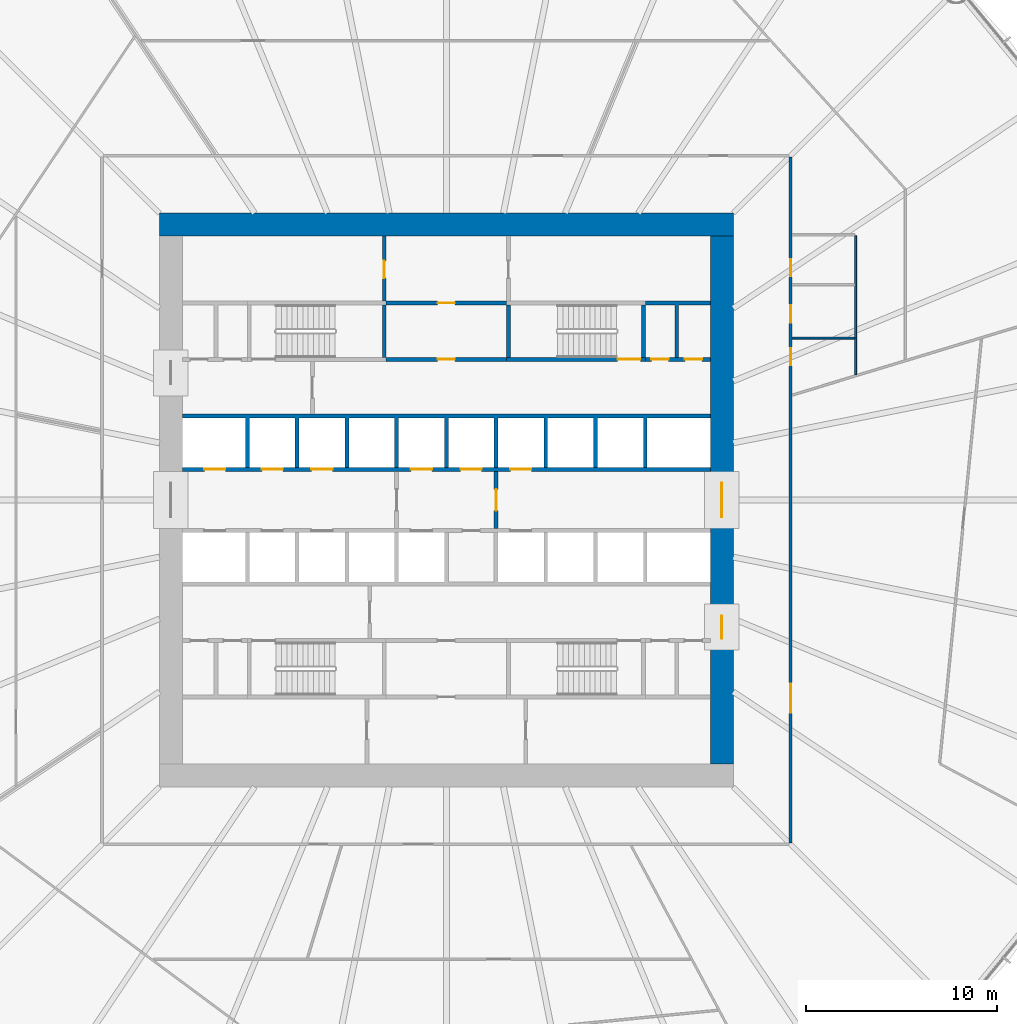
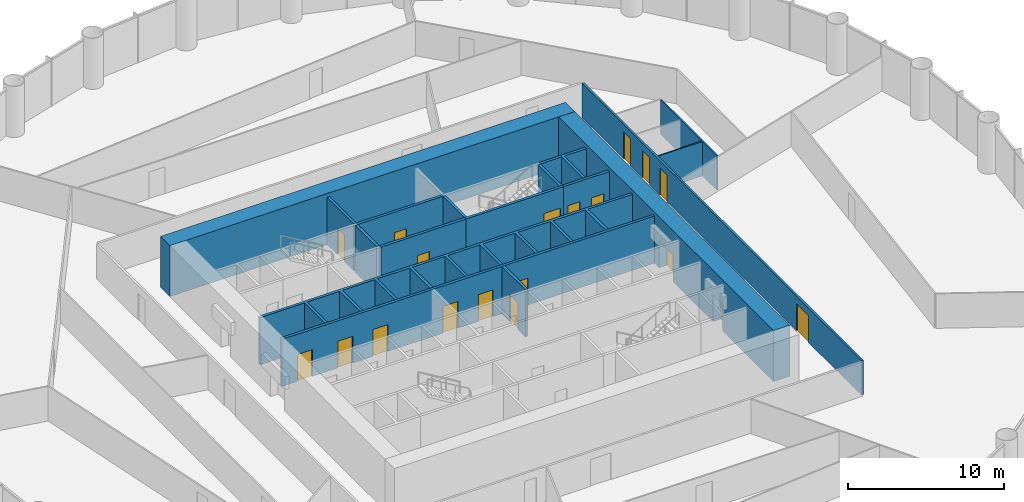
# One storey, part 12 of 14: 19 doors, 17 walls, 19 openings.
"""IFC4 building model written with IfcOpenShell, lengths in metres."""

from ifc_helpers import new_model, si_unit, direction, frame, frame_2d, origin, place, context, subcontext, project, spatial, polyline, rectangle, outline, extrude, material, layer, layer_set, type_object, element, fill, save


model = new_model("IFC4")

# Units and contexts
model_context = context("Model", 3, precision=1e-05, world=origin(), true_north=direction((0.0, 1.0)))
body_context = subcontext(model_context, "Body", "Model", "MODEL_VIEW")
ifc_project = project(units=[si_unit("LENGTHUNIT", "METRE"), si_unit("AREAUNIT", "SQUARE_METRE"), si_unit("VOLUMEUNIT", "CUBIC_METRE"), si_unit("PLANEANGLEUNIT", "RADIAN"), si_unit("MASSUNIT", "GRAM", prefix="KILO")], contexts=[model_context])

# Site, building, storey
site_placement = place(None, origin())
site = spatial("IfcSite", under=ifc_project, at=site_placement, CompositionType="ELEMENT")
building_placement = place(site_placement, origin())
building = spatial("IfcBuilding", under=site, at=building_placement, Name="Corvane Civic Tower", CompositionType="ELEMENT")
storey_placement = place(building_placement, frame((0.0, 0.0, 49.0)))
storey = spatial("IfcBuildingStorey", under=building, at=storey_placement, Name="L10", CompositionType="ELEMENT", Elevation=49.0)

# Wall
ifc_material_1 = material(Name="Concrete C80/95", Category="concrete")
ifc_layer_1 = layer(ifc_material_1, 1.199951171875)
ifc_layer_set_1 = layer_set([ifc_layer_1], Name="Concrete C80/95")
wall_type_1 = type_object("IfcWallType", Name="CORE WALL 1200 C80/95", PredefinedType="SHEAR", material=ifc_layer_set_1)
wall_1_placement = place(storey_placement, frame((-15.0, 14.39990234375, 0.0), z_axis=(0.0, 0.0, 1.0), x_axis=(1.0, 0.0, 0.0)))
element("IfcWall", 1, at=wall_1_placement, inside=storey, type_object=wall_type_1, Name="W-L10-core-N", PredefinedType="SHEAR", context=body_context, shape_type="SweptSolid", body=[
    extrude(rectangle(XDim=30.0, YDim=1.199951171875, at=frame_2d((15.0, 0.0))), origin(), (0.0, 0.0, 1.0), 4.0),
])

# Wall, openings, doors
wall_2_placement = place(storey_placement, frame((14.39990234375, -13.800048828125, 0.0), z_axis=(0.0, 0.0, 1.0), x_axis=(0.0, 1.0, 0.0)))
wall_2 = element("IfcWall", 2, at=wall_2_placement, inside=storey, type_object=wall_type_1, Name="W-L10-core-E", PredefinedType="SHEAR", context=body_context, shape_type="SweptSolid", body=[
    extrude(rectangle(XDim=27.60009765625, YDim=1.199951171875, at=frame_2d((13.800048828125, 0.0))), origin(), (0.0, 0.0, 1.0), 4.0),
])
opening_1_placement = place(wall_2_placement, frame((12.89990234375, 0.0, 0.0)))
opening_1 = element("IfcOpeningElement", 3, at=opening_1_placement, cuts=wall_2, Name="Opening L10.C27", PredefinedType="OPENING", context=body_context, shape_type="SweptSolid", body=[
    extrude(rectangle(XDim=1.800048828125, YDim=2.10009765625, at=frame_2d((0.89990234375, 1.050048828125))), frame((0.0, 0.60986328125, 0.0), z_axis=(0.0, -1.0, 0.0), x_axis=(1.0, 0.0, 0.0)), (0.0, 0.0, 1.0), 1.219970703125),
])
opening_2_placement = place(wall_2_placement, frame((6.550048828125, 0.0, 0.0)))
opening_2 = element("IfcOpeningElement", 4, at=opening_2_placement, cuts=wall_2, Name="Opening L10.C29", PredefinedType="OPENING", context=body_context, shape_type="SweptSolid", body=[
    extrude(rectangle(XDim=1.199951171875, YDim=2.10009765625, at=frame_2d((0.60009765625, 1.050048828125))), frame((0.0, 0.60986328125, 0.0), z_axis=(0.0, -1.0, 0.0), x_axis=(1.0, 0.0, 0.0)), (0.0, 0.0, 1.0), 1.219970703125),
])
ifc_material_2 = material(Name="Steel fire door leaf", Category="steel")
door_type_1 = type_object("IfcDoorType", Name="CR-DOOR-CORE-1800", OperationType="DOUBLE_DOOR_SINGLE_SWING", PredefinedType="DOOR", material=ifc_material_2)
door_1_placement = place(opening_1_placement, origin())
door_1 = element("IfcDoor", 5, at=door_1_placement, inside=storey, type_object=door_type_1, Name="L10 door", OperationType="DOUBLE_DOOR_SINGLE_SWING", OverallHeight=2.10009765625, OverallWidth=1.800048828125, PredefinedType="DOOR", context=body_context, shape_type="SweptSolid", body=[
    extrude(rectangle(XDim=1.800048828125, YDim=2.10009765625, at=frame_2d((0.89990234375, 1.050048828125))), frame((0.0, 0.02490234375, 0.0), z_axis=(0.0, -1.0, 0.0), x_axis=(1.0, 0.0, 0.0)), (0.0, 0.0, 1.0), 0.050048828125),
])
fill(opening_1, door_1)
door_2_placement = place(opening_2_placement, origin())
door_2 = element("IfcDoor", 6, at=door_2_placement, inside=storey, type_object=door_type_1, Name="L10 door", OperationType="DOUBLE_DOOR_SINGLE_SWING", OverallHeight=2.10009765625, OverallWidth=1.199951171875, PredefinedType="DOOR", context=body_context, shape_type="SweptSolid", body=[
    extrude(rectangle(XDim=1.199951171875, YDim=2.10009765625, at=frame_2d((0.60009765625, 1.050048828125))), frame((0.0, 0.02490234375, 0.0), z_axis=(0.0, -1.0, 0.0), x_axis=(1.0, 0.0, 0.0)), (0.0, 0.0, 1.0), 0.050048828125),
])
fill(opening_2, door_2)

ifc_material_3 = material(Name="Concrete C30/37", Category="concrete")
ifc_layer_2 = layer(ifc_material_3, 0.199951171875)
ifc_layer_set_2 = layer_set([ifc_layer_2], Name="Concrete C30/37")
wall_type_2 = type_object("IfcWallType", Name="CR-WALL-200", PredefinedType="PARTITIONING", material=ifc_layer_set_2)
wall_3_placement = place(storey_placement, frame((-13.800048828125, 1.60009765625, 0.0), z_axis=(0.0, 0.0, 1.0), x_axis=(1.0, 0.0, 0.0)))
wall_3 = element("IfcWall", 7, at=wall_3_placement, inside=storey, type_object=wall_type_2, Name="L10 lift shaft wall", PredefinedType="PARTITIONING", context=body_context, shape_type="SweptSolid", body=[
    extrude(rectangle(XDim=27.60009765625, YDim=0.199951171875, at=frame_2d((13.800048828125, 0.0))), origin(), (0.0, 0.0, 1.0), 3.699951171875),
])
opening_3_placement = place(wall_3_placement, frame((1.14990234375, 0.0, 0.0)))
opening_3 = element("IfcOpeningElement", 8, at=opening_3_placement, cuts=wall_3, Name="Opening LD", PredefinedType="OPENING", context=body_context, shape_type="SweptSolid", body=[
    extrude(rectangle(XDim=1.10009765625, YDim=2.10009765625, at=frame_2d((0.550048828125, 1.050048828125))), frame((0.0, 0.10986328125, 0.0), z_axis=(0.0, -1.0, 0.0), x_axis=(1.0, 0.0, 0.0)), (0.0, 0.0, 1.0), 0.219970703125),
])
opening_4_placement = place(wall_3_placement, frame((4.14990234375, 0.0, 0.0)))
opening_4 = element("IfcOpeningElement", 9, at=opening_4_placement, cuts=wall_3, Name="Opening LD", PredefinedType="OPENING", context=body_context, shape_type="SweptSolid", body=[
    extrude(rectangle(XDim=1.10009765625, YDim=2.10009765625, at=frame_2d((0.550048828125, 1.050048828125))), frame((0.0, 0.10986328125, 0.0), z_axis=(0.0, -1.0, 0.0), x_axis=(1.0, 0.0, 0.0)), (0.0, 0.0, 1.0), 0.219970703125),
])
opening_5_placement = place(wall_3_placement, frame((6.75, 0.0, 0.0)))
opening_5 = element("IfcOpeningElement", 10, at=opening_5_placement, cuts=wall_3, Name="Opening LD", PredefinedType="OPENING", context=body_context, shape_type="SweptSolid", body=[
    extrude(rectangle(XDim=1.10009765625, YDim=2.10009765625, at=frame_2d((0.550048828125, 1.050048828125))), frame((0.0, 0.10986328125, 0.0), z_axis=(0.0, -1.0, 0.0), x_axis=(1.0, 0.0, 0.0)), (0.0, 0.0, 1.0), 0.219970703125),
])
opening_6_placement = place(wall_3_placement, frame((11.949951171875, 0.0, 0.0)))
opening_6 = element("IfcOpeningElement", 11, at=opening_6_placement, cuts=wall_3, Name="Opening LD", PredefinedType="OPENING", context=body_context, shape_type="SweptSolid", body=[
    extrude(rectangle(XDim=1.10009765625, YDim=2.10009765625, at=frame_2d((0.550048828125, 1.050048828125))), frame((0.0, 0.10986328125, 0.0), z_axis=(0.0, -1.0, 0.0), x_axis=(1.0, 0.0, 0.0)), (0.0, 0.0, 1.0), 0.219970703125),
])
opening_7_placement = place(wall_3_placement, frame((14.550048828125, 0.0, 0.0)))
opening_7 = element("IfcOpeningElement", 12, at=opening_7_placement, cuts=wall_3, Name="Opening LD", PredefinedType="OPENING", context=body_context, shape_type="SweptSolid", body=[
    extrude(rectangle(XDim=1.10009765625, YDim=2.10009765625, at=frame_2d((0.550048828125, 1.050048828125))), frame((0.0, 0.10986328125, 0.0), z_axis=(0.0, -1.0, 0.0), x_axis=(1.0, 0.0, 0.0)), (0.0, 0.0, 1.0), 0.219970703125),
])
opening_8_placement = place(wall_3_placement, frame((17.14990234375, 0.0, 0.0)))
opening_8 = element("IfcOpeningElement", 13, at=opening_8_placement, cuts=wall_3, Name="Opening LD", PredefinedType="OPENING", context=body_context, shape_type="SweptSolid", body=[
    extrude(rectangle(XDim=1.10009765625, YDim=2.10009765625, at=frame_2d((0.550048828125, 1.050048828125))), frame((0.0, 0.10986328125, 0.0), z_axis=(0.0, -1.0, 0.0), x_axis=(1.0, 0.0, 0.0)), (0.0, 0.0, 1.0), 0.219970703125),
])
ifc_material_4 = material(Name="Stainless steel 316 door leaves", Category="steel")
door_type_2 = type_object("IfcDoorType", Name="LD", OperationType="DOUBLE_DOOR_SLIDING", PredefinedType="DOOR", material=ifc_material_4)
door_3_placement = place(opening_3_placement, origin())
door_3 = element("IfcDoor", 14, at=door_3_placement, inside=storey, type_object=door_type_2, Name="L10 landing door", OperationType="DOUBLE_DOOR_SLIDING", OverallHeight=2.10009765625, OverallWidth=1.10009765625, PredefinedType="DOOR", context=body_context, shape_type="SweptSolid", body=[
    extrude(rectangle(XDim=1.10009765625, YDim=2.10009765625, at=frame_2d((0.550048828125, 1.050048828125))), frame((0.0, 0.02490234375, 0.0), z_axis=(0.0, -1.0, 0.0), x_axis=(1.0, 0.0, 0.0)), (0.0, 0.0, 1.0), 0.050048828125),
])
fill(opening_3, door_3)
door_4_placement = place(opening_4_placement, origin())
door_4 = element("IfcDoor", 15, at=door_4_placement, inside=storey, type_object=door_type_2, Name="L10 landing door", OperationType="DOUBLE_DOOR_SLIDING", OverallHeight=2.10009765625, OverallWidth=1.10009765625, PredefinedType="DOOR", context=body_context, shape_type="SweptSolid", body=[
    extrude(rectangle(XDim=1.10009765625, YDim=2.10009765625, at=frame_2d((0.550048828125, 1.050048828125))), frame((0.0, 0.02490234375, 0.0), z_axis=(0.0, -1.0, 0.0), x_axis=(1.0, 0.0, 0.0)), (0.0, 0.0, 1.0), 0.050048828125),
])
fill(opening_4, door_4)
door_5_placement = place(opening_5_placement, origin())
door_5 = element("IfcDoor", 16, at=door_5_placement, inside=storey, type_object=door_type_2, Name="L10 landing door", OperationType="DOUBLE_DOOR_SLIDING", OverallHeight=2.10009765625, OverallWidth=1.10009765625, PredefinedType="DOOR", context=body_context, shape_type="SweptSolid", body=[
    extrude(rectangle(XDim=1.10009765625, YDim=2.10009765625, at=frame_2d((0.550048828125, 1.050048828125))), frame((0.0, 0.02490234375, 0.0), z_axis=(0.0, -1.0, 0.0), x_axis=(1.0, 0.0, 0.0)), (0.0, 0.0, 1.0), 0.050048828125),
])
fill(opening_5, door_5)
door_6_placement = place(opening_6_placement, origin())
door_6 = element("IfcDoor", 17, at=door_6_placement, inside=storey, type_object=door_type_2, Name="L10 landing door", OperationType="DOUBLE_DOOR_SLIDING", OverallHeight=2.10009765625, OverallWidth=1.10009765625, PredefinedType="DOOR", context=body_context, shape_type="SweptSolid", body=[
    extrude(rectangle(XDim=1.10009765625, YDim=2.10009765625, at=frame_2d((0.550048828125, 1.050048828125))), frame((0.0, 0.02490234375, 0.0), z_axis=(0.0, -1.0, 0.0), x_axis=(1.0, 0.0, 0.0)), (0.0, 0.0, 1.0), 0.050048828125),
])
fill(opening_6, door_6)
door_7_placement = place(opening_7_placement, origin())
door_7 = element("IfcDoor", 18, at=door_7_placement, inside=storey, type_object=door_type_2, Name="L10 landing door", OperationType="DOUBLE_DOOR_SLIDING", OverallHeight=2.10009765625, OverallWidth=1.10009765625, PredefinedType="DOOR", context=body_context, shape_type="SweptSolid", body=[
    extrude(rectangle(XDim=1.10009765625, YDim=2.10009765625, at=frame_2d((0.550048828125, 1.050048828125))), frame((0.0, 0.02490234375, 0.0), z_axis=(0.0, -1.0, 0.0), x_axis=(1.0, 0.0, 0.0)), (0.0, 0.0, 1.0), 0.050048828125),
])
fill(opening_7, door_7)
door_8_placement = place(opening_8_placement, origin())
door_8 = element("IfcDoor", 19, at=door_8_placement, inside=storey, type_object=door_type_2, Name="L10 landing door", OperationType="DOUBLE_DOOR_SLIDING", OverallHeight=2.10009765625, OverallWidth=1.10009765625, PredefinedType="DOOR", context=body_context, shape_type="SweptSolid", body=[
    extrude(rectangle(XDim=1.10009765625, YDim=2.10009765625, at=frame_2d((0.550048828125, 1.050048828125))), frame((0.0, 0.02490234375, 0.0), z_axis=(0.0, -1.0, 0.0), x_axis=(1.0, 0.0, 0.0)), (0.0, 0.0, 1.0), 0.050048828125),
])
fill(opening_8, door_8)

# Wall, opening, door
wall_4_placement = place(storey_placement, frame((-3.14990234375, 7.35009765625, 0.0), z_axis=(0.0, 0.0, 1.0), x_axis=(1.0, 0.0, 0.0)))
wall_4 = element("IfcWall", 20, at=wall_4_placement, inside=storey, type_object=wall_type_2, Name="L10 core partition wall", PredefinedType="PARTITIONING", context=body_context, shape_type="SweptSolid", body=[
    extrude(rectangle(XDim=6.2998046875, YDim=0.199951171875, at=frame_2d((3.14990234375, 0.0))), origin(), (0.0, 0.0, 1.0), 3.699951171875),
])
opening_9_placement = place(wall_4_placement, frame((2.699951171875, 0.0, 0.0)))
opening_9 = element("IfcOpeningElement", 21, at=opening_9_placement, cuts=wall_4, Name="Opening L10.C02", PredefinedType="OPENING", context=body_context, shape_type="SweptSolid", body=[
    extrude(rectangle(XDim=0.89990234375, YDim=2.10009765625, at=frame_2d((0.449951171875, 1.050048828125))), frame((0.0, 0.10986328125, 0.0), z_axis=(0.0, -1.0, 0.0), x_axis=(1.0, 0.0, 0.0)), (0.0, 0.0, 1.0), 0.219970703125),
])
ifc_material_5 = material(Name="Steel fire door leaf", Category="steel")
door_type_3 = type_object("IfcDoorType", Name="CR-DOOR-900", OperationType="SINGLE_SWING_LEFT", PredefinedType="DOOR", material=ifc_material_5)
door_9_placement = place(opening_9_placement, origin())
door_9 = element("IfcDoor", 22, at=door_9_placement, inside=storey, type_object=door_type_3, Name="L10 door", OperationType="SINGLE_SWING_LEFT", OverallHeight=2.10009765625, OverallWidth=0.89990234375, PredefinedType="DOOR", context=body_context, shape_type="SweptSolid", body=[
    extrude(rectangle(XDim=0.89990234375, YDim=2.10009765625, at=frame_2d((0.449951171875, 1.050048828125))), frame((0.0, 0.02490234375, 0.0), z_axis=(0.0, -1.0, 0.0), x_axis=(1.0, 0.0, 0.0)), (0.0, 0.0, 1.0), 0.050048828125),
])
fill(opening_9, door_9)

# Wall, openings, doors
wall_5_placement = place(storey_placement, frame((10.39990234375, 7.35009765625, 0.0), z_axis=(0.0, 0.0, 1.0), x_axis=(1.0, 0.0, 0.0)))
wall_5 = element("IfcWall", 23, at=wall_5_placement, inside=storey, type_object=wall_type_2, Name="L10 core partition wall", PredefinedType="PARTITIONING", context=body_context, shape_type="SweptSolid", body=[
    extrude(rectangle(XDim=3.400146484375, YDim=0.199951171875, at=frame_2d((1.7001953125, 0.0))), origin(), (0.0, 0.0, 1.0), 3.699951171875),
])
opening_10_placement = place(wall_5_placement, frame((0.324951171875, 0.0, 0.0)))
opening_10 = element("IfcOpeningElement", 24, at=opening_10_placement, cuts=wall_5, Name="Opening L10.C14", PredefinedType="OPENING", context=body_context, shape_type="SweptSolid", body=[
    extrude(rectangle(XDim=0.89990234375, YDim=2.10009765625, at=frame_2d((0.449951171875, 1.050048828125))), frame((0.0, 0.10986328125, 0.0), z_axis=(0.0, -1.0, 0.0), x_axis=(1.0, 0.0, 0.0)), (0.0, 0.0, 1.0), 0.219970703125),
])
opening_11_placement = place(wall_5_placement, frame((2.074951171875, 0.0, 0.0)))
opening_11 = element("IfcOpeningElement", 25, at=opening_11_placement, cuts=wall_5, Name="Opening L10.C15", PredefinedType="OPENING", context=body_context, shape_type="SweptSolid", body=[
    extrude(rectangle(XDim=0.89990234375, YDim=2.10009765625, at=frame_2d((0.449951171875, 1.050048828125))), frame((0.0, 0.10986328125, 0.0), z_axis=(0.0, -1.0, 0.0), x_axis=(1.0, 0.0, 0.0)), (0.0, 0.0, 1.0), 0.219970703125),
])
door_10_placement = place(opening_10_placement, origin())
door_10 = element("IfcDoor", 26, at=door_10_placement, inside=storey, type_object=door_type_3, Name="L10 door", OperationType="SINGLE_SWING_LEFT", OverallHeight=2.10009765625, OverallWidth=0.89990234375, PredefinedType="DOOR", context=body_context, shape_type="SweptSolid", body=[
    extrude(rectangle(XDim=0.89990234375, YDim=2.10009765625, at=frame_2d((0.449951171875, 1.050048828125))), frame((0.0, 0.02490234375, 0.0), z_axis=(0.0, -1.0, 0.0), x_axis=(1.0, 0.0, 0.0)), (0.0, 0.0, 1.0), 0.050048828125),
])
fill(opening_10, door_10)
door_11_placement = place(opening_11_placement, origin())
door_11 = element("IfcDoor", 27, at=door_11_placement, inside=storey, type_object=door_type_3, Name="L10 door", OperationType="SINGLE_SWING_LEFT", OverallHeight=2.10009765625, OverallWidth=0.89990234375, PredefinedType="DOOR", context=body_context, shape_type="SweptSolid", body=[
    extrude(rectangle(XDim=0.89990234375, YDim=2.10009765625, at=frame_2d((0.449951171875, 1.050048828125))), frame((0.0, 0.02490234375, 0.0), z_axis=(0.0, -1.0, 0.0), x_axis=(1.0, 0.0, 0.0)), (0.0, 0.0, 1.0), 0.050048828125),
])
fill(opening_11, door_11)

# Wall, opening, door
wall_6_placement = place(storey_placement, frame((-3.14990234375, 10.300048828125, 0.0), z_axis=(0.0, 0.0, 1.0), x_axis=(1.0, 0.0, 0.0)))
wall_6 = element("IfcWall", 28, at=wall_6_placement, inside=storey, type_object=wall_type_2, Name="L10 partition wall", PredefinedType="PARTITIONING", context=body_context, shape_type="SweptSolid", body=[
    extrude(rectangle(XDim=6.2998046875, YDim=0.199951171875, at=frame_2d((3.14990234375, 0.0))), origin(), (0.0, 0.0, 1.0), 3.699951171875),
])
opening_12_placement = place(wall_6_placement, frame((2.699951171875, 0.0, 0.0)))
opening_12 = element("IfcOpeningElement", 29, at=opening_12_placement, cuts=wall_6, Name="Opening L10.C05", PredefinedType="OPENING", context=body_context, shape_type="SweptSolid", body=[
    extrude(rectangle(XDim=0.89990234375, YDim=2.10009765625, at=frame_2d((0.449951171875, 1.050048828125))), frame((0.0, 0.10986328125, 0.0), z_axis=(0.0, -1.0, 0.0), x_axis=(1.0, 0.0, 0.0)), (0.0, 0.0, 1.0), 0.219970703125),
])
door_12_placement = place(opening_12_placement, origin())
door_12 = element("IfcDoor", 30, at=door_12_placement, inside=storey, type_object=door_type_3, Name="L10 door", OperationType="SINGLE_SWING_LEFT", OverallHeight=2.10009765625, OverallWidth=0.89990234375, PredefinedType="DOOR", context=body_context, shape_type="SweptSolid", body=[
    extrude(rectangle(XDim=0.89990234375, YDim=2.10009765625, at=frame_2d((0.449951171875, 1.050048828125))), frame((0.0, 0.02490234375, 0.0), z_axis=(0.0, -1.0, 0.0), x_axis=(1.0, 0.0, 0.0)), (0.0, 0.0, 1.0), 0.050048828125),
])
fill(opening_12, door_12)

wall_7_placement = place(storey_placement, frame((-3.25, 10.39990234375, 0.0), z_axis=(0.0, 0.0, 1.0), x_axis=(0.0, 1.0, 0.0)))
wall_7 = element("IfcWall", 31, at=wall_7_placement, inside=storey, type_object=wall_type_2, Name="L10 partition wall", PredefinedType="PARTITIONING", context=body_context, shape_type="SweptSolid", body=[
    extrude(rectangle(XDim=3.400146484375, YDim=0.199951171875, at=frame_2d((1.7001953125, 0.0))), origin(), (0.0, 0.0, 1.0), 3.699951171875),
])
opening_13_placement = place(wall_7_placement, frame((1.199951171875, 0.0, 0.0)))
opening_13 = element("IfcOpeningElement", 32, at=opening_13_placement, cuts=wall_7, Name="Opening L10.C04", PredefinedType="OPENING", context=body_context, shape_type="SweptSolid", body=[
    extrude(rectangle(XDim=0.89990234375, YDim=2.10009765625, at=frame_2d((0.449951171875, 1.050048828125))), frame((0.0, 0.10986328125, 0.0), z_axis=(0.0, -1.0, 0.0), x_axis=(1.0, 0.0, 0.0)), (0.0, 0.0, 1.0), 0.219970703125),
])
door_13_placement = place(opening_13_placement, origin())
door_13 = element("IfcDoor", 33, at=door_13_placement, inside=storey, type_object=door_type_3, Name="L10 door", OperationType="SINGLE_SWING_LEFT", OverallHeight=2.10009765625, OverallWidth=0.89990234375, PredefinedType="DOOR", context=body_context, shape_type="SweptSolid", body=[
    extrude(rectangle(XDim=0.89990234375, YDim=2.10009765625, at=frame_2d((0.449951171875, 1.050048828125))), frame((0.0, 0.02490234375, 0.0), z_axis=(0.0, -1.0, 0.0), x_axis=(1.0, 0.0, 0.0)), (0.0, 0.0, 1.0), 0.050048828125),
])
fill(opening_13, door_13)

wall_8_placement = place(storey_placement, frame((2.60009765625, -1.5, 0.0), z_axis=(0.0, 0.0, 1.0), x_axis=(0.0, 1.0, 0.0)))
wall_8 = element("IfcWall", 34, at=wall_8_placement, inside=storey, type_object=wall_type_2, Name="L10 firefighting lobby wall", PredefinedType="PARTITIONING", context=body_context, shape_type="SweptSolid", body=[
    extrude(rectangle(XDim=3.0, YDim=0.199951171875, at=frame_2d((1.5, 0.0))), origin(), (0.0, 0.0, 1.0), 3.699951171875),
])
opening_14_placement = place(wall_8_placement, frame((0.949951171875, 0.0, 0.0)))
opening_14 = element("IfcOpeningElement", 35, at=opening_14_placement, cuts=wall_8, Name="Opening L10.C23", PredefinedType="OPENING", context=body_context, shape_type="SweptSolid", body=[
    extrude(rectangle(XDim=1.10009765625, YDim=2.10009765625, at=frame_2d((0.550048828125, 1.050048828125))), frame((0.0, 0.10986328125, 0.0), z_axis=(0.0, -1.0, 0.0), x_axis=(1.0, 0.0, 0.0)), (0.0, 0.0, 1.0), 0.219970703125),
])
ifc_material_6 = material(Name="Steel fire door leaf", Category="steel")
door_type_4 = type_object("IfcDoorType", Name="CR-DOOR-FFL-1100", OperationType="SINGLE_SWING_LEFT", PredefinedType="DOOR", material=ifc_material_6)
door_14_placement = place(opening_14_placement, origin())
door_14 = element("IfcDoor", 36, at=door_14_placement, inside=storey, type_object=door_type_4, Name="L10 lobby door", OperationType="SINGLE_SWING_LEFT", OverallHeight=2.10009765625, OverallWidth=1.10009765625, PredefinedType="DOOR", context=body_context, shape_type="SweptSolid", body=[
    extrude(rectangle(XDim=1.10009765625, YDim=2.10009765625, at=frame_2d((0.550048828125, 1.050048828125))), frame((0.0, 0.02490234375, 0.0), z_axis=(0.0, -1.0, 0.0), x_axis=(1.0, 0.0, 0.0)), (0.0, 0.0, 1.0), 0.050048828125),
])
fill(opening_14, door_14)

# Walls
wall_9_placement = place(storey_placement, origin())
element("IfcWall", 37, at=wall_9_placement, inside=storey, type_object=wall_type_2, Name="L10 core partition wall", PredefinedType="PARTITIONING", context=body_context, shape_type="SweptSolid", body=[
    extrude(outline(polyline([(-10.300048828125, 1.699951171875), (-10.5, 1.699951171875), (-10.5, 4.300048828125), (-13.800048828125, 4.300048828125), (-13.800048828125, 4.5), (13.800048828125, 4.5), (13.800048828125, 4.300048828125), (10.5, 4.300048828125), (10.5, 1.699951171875), (10.300048828125, 1.699951171875), (10.300048828125, 4.300048828125), (7.89990234375, 4.300048828125), (7.89990234375, 1.699951171875), (7.699951171875, 1.699951171875), (7.699951171875, 4.300048828125), (5.300048828125, 4.300048828125), (5.300048828125, 1.699951171875), (5.10009765625, 1.699951171875), (5.10009765625, 4.300048828125), (2.699951171875, 4.300048828125), (2.699951171875, 1.699951171875), (2.5, 1.699951171875), (2.5, 4.300048828125), (0.10009765625, 4.300048828125), (0.10009765625, 1.699951171875), (-0.10009765625, 1.699951171875), (-0.10009765625, 4.300048828125), (-2.5, 4.300048828125), (-2.5, 1.699951171875), (-2.699951171875, 1.699951171875), (-2.699951171875, 4.300048828125), (-5.10009765625, 4.300048828125), (-5.10009765625, 1.699951171875), (-5.300048828125, 1.699951171875), (-5.300048828125, 4.300048828125), (-7.699951171875, 4.300048828125), (-7.699951171875, 1.699951171875), (-7.89990234375, 1.699951171875), (-7.89990234375, 4.300048828125), (-10.300048828125, 4.300048828125), (-10.300048828125, 1.699951171875)])), origin(), (0.0, 0.0, 1.0), 3.699951171875),
])
wall_10_placement = place(storey_placement, origin())
element("IfcWall", 38, at=wall_10_placement, inside=storey, type_object=wall_type_2, Name="L10 core partition wall", PredefinedType="PARTITIONING", context=body_context, shape_type="SweptSolid", body=[
    extrude(outline(polyline([(13.800048828125, 10.39990234375), (13.800048828125, 10.199951171875), (12.14990234375, 10.199951171875), (12.14990234375, 7.449951171875), (11.949951171875, 7.449951171875), (11.949951171875, 10.199951171875), (10.39990234375, 10.199951171875), (10.39990234375, 10.39990234375), (13.800048828125, 10.39990234375)])), origin(), (0.0, 0.0, 1.0), 3.699951171875),
])
ifc_material_7 = material(Name="Plasterboard")
ifc_layer_3 = layer(ifc_material_7, 0.10009765625)
ifc_layer_set_3 = layer_set([ifc_layer_3], Name="Plasterboard")
wall_type_3 = type_object("IfcWallType", Name="Partition 100 plasterboard on studs", PredefinedType="PARTITIONING", material=ifc_layer_set_3)
wall_11_placement = place(storey_placement, frame((21.39990234375, 6.55908203125, 0.0), z_axis=(0.0, 0.0, 1.0), x_axis=(0.0, 1.0, 0.0)))
element("IfcWall", 39, at=wall_11_placement, inside=storey, type_object=wall_type_3, Name="Partition L10.019", PredefinedType="PARTITIONING", context=body_context, shape_type="SweptSolid", body=[
    extrude(rectangle(XDim=7.251220703125, YDim=0.10009765625, at=frame_2d((3.62548828125, 0.0))), origin(), (0.0, 0.0, 1.0), 2.699951171875),
])
wall_12_placement = place(storey_placement, frame((18.074951171875, 8.460205078125, 0.0), z_axis=(0.0, 0.0, 1.0), x_axis=(1.0, 0.0, 0.0)))
element("IfcWall", 40, at=wall_12_placement, inside=storey, type_object=wall_type_3, Name="Partition L10.021", PredefinedType="PARTITIONING", context=body_context, shape_type="SweptSolid", body=[
    extrude(rectangle(XDim=3.275146484375, YDim=0.10009765625, at=frame_2d((1.6376953125, 0.0))), origin(), (0.0, 0.0, 1.0), 2.699951171875),
])

# Wall, opening, door
ifc_material_8 = material(Name="Concrete C50/60", Category="concrete")
ifc_layer_4 = layer(ifc_material_8, 0.199951171875)
ifc_layer_set_4 = layer_set([ifc_layer_4], Name="Concrete C50/60")
wall_type_4 = type_object("IfcWallType", Name="ST-WALL-200", PredefinedType="SHEAR", material=ifc_layer_set_4)
wall_13_placement = place(storey_placement, frame((3.14990234375, 7.35009765625, 0.0), z_axis=(0.0, 0.0, 1.0), x_axis=(1.0, 0.0, 0.0)))
wall_13 = element("IfcWall", 41, at=wall_13_placement, inside=storey, type_object=wall_type_4, Name="L10 stair enclosure wall", PredefinedType="SHEAR", context=body_context, shape_type="SweptSolid", body=[
    extrude(rectangle(XDim=7.25, YDim=0.199951171875, at=frame_2d((3.625, 0.0))), origin(), (0.0, 0.0, 1.0), 3.699951171875),
])
opening_15_placement = place(wall_13_placement, frame((5.800048828125, 0.0, 0.0)))
opening_15 = element("IfcOpeningElement", 42, at=opening_15_placement, cuts=wall_13, Name="Opening L10.C18", PredefinedType="OPENING", context=body_context, shape_type="SweptSolid", body=[
    extrude(rectangle(XDim=1.199951171875, YDim=2.10009765625, at=frame_2d((0.60009765625, 1.050048828125))), frame((0.0, 0.10986328125, 0.0), z_axis=(0.0, -1.0, 0.0), x_axis=(1.0, 0.0, 0.0)), (0.0, 0.0, 1.0), 0.219970703125),
])
ifc_material_9 = material(Name="Steel fire door leaf", Category="steel")
door_type_5 = type_object("IfcDoorType", Name="ST-DOOR-1200", OperationType="SINGLE_SWING_RIGHT", PredefinedType="DOOR", material=ifc_material_9)
door_15_placement = place(opening_15_placement, origin())
door_15 = element("IfcDoor", 43, at=door_15_placement, inside=storey, type_object=door_type_5, Name="L10 stair door", OperationType="SINGLE_SWING_RIGHT", OverallHeight=2.10009765625, OverallWidth=1.199951171875, PredefinedType="DOOR", context=body_context, shape_type="SweptSolid", body=[
    extrude(rectangle(XDim=1.199951171875, YDim=2.10009765625, at=frame_2d((0.60009765625, 1.050048828125))), frame((0.0, 0.02490234375, 0.0), z_axis=(0.0, -1.0, 0.0), x_axis=(1.0, 0.0, 0.0)), (0.0, 0.0, 1.0), 0.050048828125),
])
fill(opening_15, door_15)

# Walls
wall_14_placement = place(storey_placement, origin())
element("IfcWall", 44, at=wall_14_placement, inside=storey, type_object=wall_type_4, Name="L10 stair enclosure wall", PredefinedType="SHEAR", context=body_context, shape_type="SweptSolid", body=[
    extrude(outline(polyline([(-3.14990234375, 7.449951171875), (-3.35009765625, 7.449951171875), (-3.35009765625, 10.199951171875), (-3.14990234375, 10.199951171875), (-3.14990234375, 7.449951171875)])), origin(), (0.0, 0.0, 1.0), 3.699951171875),
])
wall_15_placement = place(storey_placement, origin())
element("IfcWall", 45, at=wall_15_placement, inside=storey, type_object=wall_type_4, Name="L10 stair enclosure wall", PredefinedType="SHEAR", context=body_context, shape_type="SweptSolid", body=[
    extrude(outline(polyline([(3.35009765625, 7.449951171875), (3.14990234375, 7.449951171875), (3.14990234375, 10.199951171875), (3.35009765625, 10.199951171875), (3.35009765625, 7.449951171875)])), origin(), (0.0, 0.0, 1.0), 3.699951171875),
])
wall_16_placement = place(storey_placement, origin())
element("IfcWall", 46, at=wall_16_placement, inside=storey, type_object=wall_type_4, Name="L10 stair enclosure wall", PredefinedType="SHEAR", context=body_context, shape_type="SweptSolid", body=[
    extrude(outline(polyline([(10.39990234375, 7.449951171875), (10.199951171875, 7.449951171875), (10.199951171875, 10.199951171875), (10.39990234375, 10.199951171875), (10.39990234375, 7.449951171875)])), origin(), (0.0, 0.0, 1.0), 3.699951171875),
])

# Wall, openings, doors
ifc_material_10 = material(Name="Plasterboard")
ifc_layer_5 = layer(ifc_material_10, 0.14990234375)
ifc_layer_set_5 = layer_set([ifc_layer_5], Name="Plasterboard")
wall_type_5 = type_object("IfcWallType", Name="Tenancy wall 150 EI 60", PredefinedType="PARTITIONING", material=ifc_layer_set_5)
wall_17_placement = place(storey_placement, frame((18.0, -17.925048828125, 0.0), z_axis=(0.0, 0.0, 1.0), x_axis=(0.0, 1.0, 0.0)))
wall_17 = element("IfcWall", 47, at=wall_17_placement, inside=storey, type_object=wall_type_5, Name="Partition L10.010", PredefinedType="PARTITIONING", context=body_context, shape_type="SweptSolid", body=[
    extrude(rectangle(XDim=35.85009765625, YDim=0.14990234375, at=frame_2d((17.925048828125, 0.0))), origin(), (0.0, 0.0, 1.0), 2.699951171875),
])
opening_16_placement = place(wall_17_placement, frame((27.196533203125, 0.0, 0.0)))
opening_16 = element("IfcOpeningElement", 48, at=opening_16_placement, cuts=wall_17, Name="Opening L10.006", PredefinedType="OPENING", context=body_context, shape_type="SweptSolid", body=[
    extrude(rectangle(XDim=0.89990234375, YDim=2.10009765625, at=frame_2d((0.449951171875, 1.050048828125))), frame((0.0, 0.0849609375, 0.0), z_axis=(0.0, -1.0, 0.0), x_axis=(1.0, 0.0, 0.0)), (0.0, 0.0, 1.0), 0.169921875),
])
opening_17_placement = place(wall_17_placement, frame((29.614013671875, 0.0, 0.0)))
opening_17 = element("IfcOpeningElement", 49, at=opening_17_placement, cuts=wall_17, Name="Opening L10.007", PredefinedType="OPENING", context=body_context, shape_type="SweptSolid", body=[
    extrude(rectangle(XDim=0.89990234375, YDim=2.10009765625, at=frame_2d((0.449951171875, 1.050048828125))), frame((0.0, 0.0849609375, 0.0), z_axis=(0.0, -1.0, 0.0), x_axis=(1.0, 0.0, 0.0)), (0.0, 0.0, 1.0), 0.169921875),
])
opening_18_placement = place(wall_17_placement, frame((24.9716796875, 0.0, 0.0)))
opening_18 = element("IfcOpeningElement", 50, at=opening_18_placement, cuts=wall_17, Name="Opening L10.008", PredefinedType="OPENING", context=body_context, shape_type="SweptSolid", body=[
    extrude(rectangle(XDim=0.89990234375, YDim=2.10009765625, at=frame_2d((0.449951171875, 1.050048828125))), frame((0.0, 0.0849609375, 0.0), z_axis=(0.0, -1.0, 0.0), x_axis=(1.0, 0.0, 0.0)), (0.0, 0.0, 1.0), 0.169921875),
])
opening_19_placement = place(wall_17_placement, frame((6.814697265625, 0.0, 0.0)))
opening_19 = element("IfcOpeningElement", 51, at=opening_19_placement, cuts=wall_17, Name="Opening L10.010", PredefinedType="OPENING", context=body_context, shape_type="SweptSolid", body=[
    extrude(rectangle(XDim=1.5, YDim=2.10009765625, at=frame_2d((0.75, 1.050048828125))), frame((0.0, 0.0849609375, 0.0), z_axis=(0.0, -1.0, 0.0), x_axis=(1.0, 0.0, 0.0)), (0.0, 0.0, 1.0), 0.169921875),
])
ifc_material_11 = material(Name="Steel and timber", Category="steel")
door_type_6 = type_object("IfcDoorType", Name="Fire door FD30S 900", OperationType="NOTDEFINED", PredefinedType="DOOR", material=ifc_material_11)
door_16_placement = place(opening_16_placement, frame((0.89990234375, 0.0, 0.0), z_axis=(0.0, 0.0, 1.0), x_axis=(-1.0, 0.0, 0.0)))
door_16 = element("IfcDoor", 52, at=door_16_placement, inside=storey, type_object=door_type_6, Name="Door L10.006", OperationType="SINGLE_SWING_RIGHT", OverallHeight=2.10009765625, OverallWidth=0.89990234375, PredefinedType="DOOR", context=body_context, shape_type="SweptSolid", body=[
    extrude(rectangle(XDim=0.89990234375, YDim=2.10009765625, at=frame_2d((0.449951171875, 1.050048828125))), frame((0.0, 0.02490234375, 0.0), z_axis=(0.0, -1.0, 0.0), x_axis=(1.0, 0.0, 0.0)), (0.0, 0.0, 1.0), 0.050048828125),
])
fill(opening_16, door_16)
door_17_placement = place(opening_17_placement, frame((0.89990234375, 0.0, 0.0), z_axis=(0.0, 0.0, 1.0), x_axis=(-1.0, 0.0, 0.0)))
door_17 = element("IfcDoor", 53, at=door_17_placement, inside=storey, type_object=door_type_6, Name="Door L10.007", OperationType="SINGLE_SWING_LEFT", OverallHeight=2.10009765625, OverallWidth=0.89990234375, PredefinedType="DOOR", context=body_context, shape_type="SweptSolid", body=[
    extrude(rectangle(XDim=0.89990234375, YDim=2.10009765625, at=frame_2d((0.449951171875, 1.050048828125))), frame((0.0, 0.02490234375, 0.0), z_axis=(0.0, -1.0, 0.0), x_axis=(1.0, 0.0, 0.0)), (0.0, 0.0, 1.0), 0.050048828125),
])
fill(opening_17, door_17)
door_18_placement = place(opening_18_placement, frame((0.89990234375, 0.0, 0.0), z_axis=(0.0, 0.0, 1.0), x_axis=(-1.0, 0.0, 0.0)))
door_18 = element("IfcDoor", 54, at=door_18_placement, inside=storey, type_object=door_type_6, Name="Door L10.008", OperationType="SINGLE_SWING_LEFT", OverallHeight=2.10009765625, OverallWidth=0.89990234375, PredefinedType="DOOR", context=body_context, shape_type="SweptSolid", body=[
    extrude(rectangle(XDim=0.89990234375, YDim=2.10009765625, at=frame_2d((0.449951171875, 1.050048828125))), frame((0.0, 0.02490234375, 0.0), z_axis=(0.0, -1.0, 0.0), x_axis=(1.0, 0.0, 0.0)), (0.0, 0.0, 1.0), 0.050048828125),
])
fill(opening_18, door_18)
ifc_material_12 = material(Name="Steel and timber", Category="steel")
door_type_7 = type_object("IfcDoorType", Name="Fire door FD60 double 1500", OperationType="NOTDEFINED", PredefinedType="DOOR", material=ifc_material_12)
door_19_placement = place(opening_19_placement, frame((1.5, 0.0, 0.0), z_axis=(0.0, 0.0, 1.0), x_axis=(-1.0, 0.0, 0.0)))
door_19 = element("IfcDoor", 55, at=door_19_placement, inside=storey, type_object=door_type_7, Name="Door L10.010", OperationType="DOUBLE_DOOR_SINGLE_SWING", OverallHeight=2.10009765625, OverallWidth=1.5, PredefinedType="DOOR", context=body_context, shape_type="SweptSolid", body=[
    extrude(rectangle(XDim=1.5, YDim=2.10009765625, at=frame_2d((0.75, 1.050048828125))), frame((0.0, 0.02490234375, 0.0), z_axis=(0.0, -1.0, 0.0), x_axis=(1.0, 0.0, 0.0)), (0.0, 0.0, 1.0), 0.050048828125),
])
fill(opening_19, door_19)

save(model, "model.ifc")
